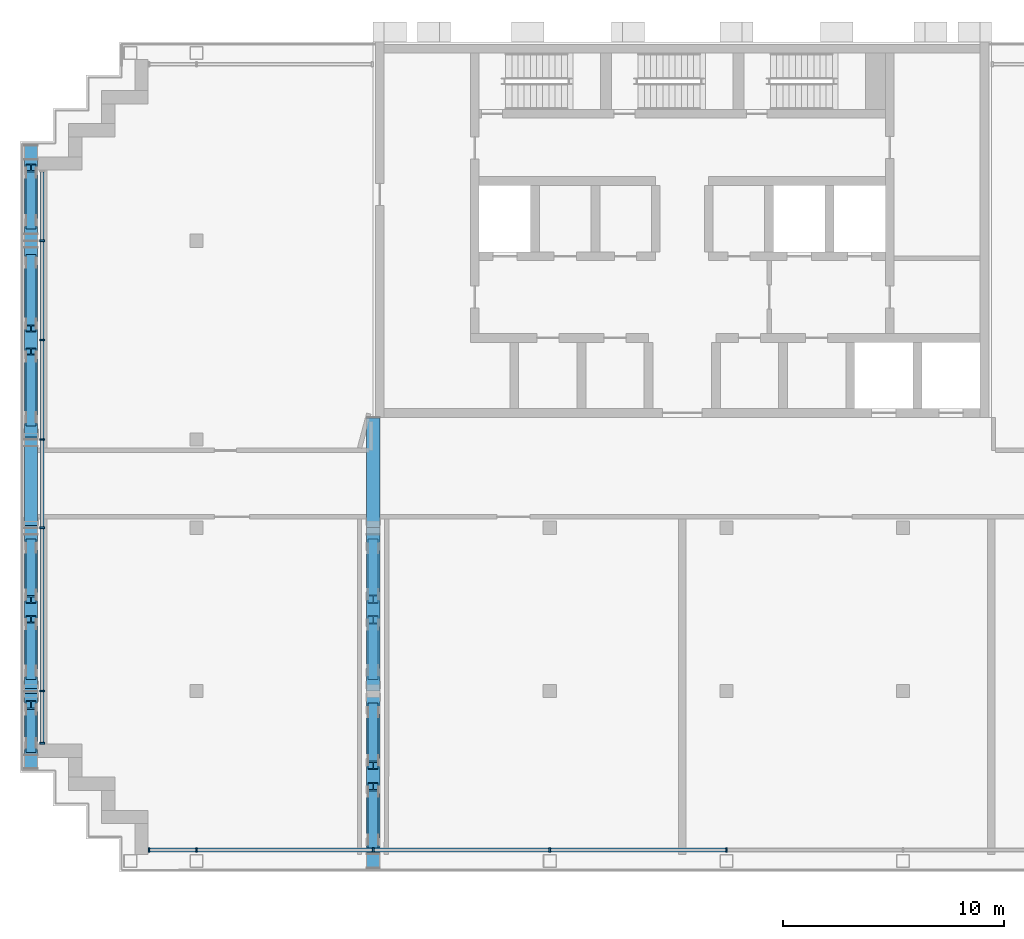
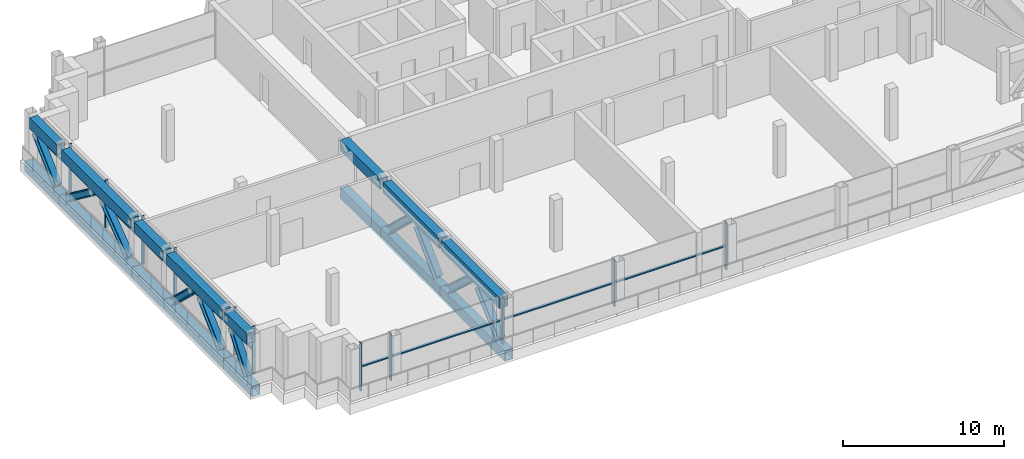
# One storey, part 2 of 21: 47 members, 2 elements without a shape of their own.
"""IFC4 building model written with IfcOpenShell, lengths in metres."""

from ifc_helpers import new_model, si_unit, direction, frame, origin, origin_2d, place, context, subcontext, project, spatial, rectangle, hollow_rectangle, i_section, extrude, material, material_profile, profile_set, type_object, element, aggregate, save


model = new_model("IFC4")

# Units and contexts
model_context = context("Model", 3, precision=1e-05, world=origin(), true_north=direction((0.0, 1.0)))
body_context = subcontext(model_context, "Body", "Model", "MODEL_VIEW")
ifc_project = project(units=[si_unit("LENGTHUNIT", "METRE"), si_unit("AREAUNIT", "SQUARE_METRE"), si_unit("VOLUMEUNIT", "CUBIC_METRE"), si_unit("PLANEANGLEUNIT", "RADIAN"), si_unit("MASSUNIT", "GRAM", prefix="KILO")], contexts=[model_context])

# Site, building, storey
site_placement = place(None, origin())
site = spatial("IfcSite", under=ifc_project, at=site_placement, CompositionType="ELEMENT")
building_placement = place(site_placement, origin())
building = spatial("IfcBuilding", under=site, at=building_placement, Name="Vidyagriha Tower", CompositionType="ELEMENT")
storey_placement = place(building_placement, frame((0.0, 0.0, 203.699951171875)))
storey = spatial("IfcBuildingStorey", under=building, at=storey_placement, Name="L52", CompositionType="ELEMENT", Elevation=203.699951171875)

# Members
ifc_material_1 = material(Name="Steel ASTM A572 Grade 50", Category="steel")
ifc_material_profile_1 = material_profile(ifc_material_1, hollow_rectangle(XDim=0.60009765625, YDim=0.800048828125, WallThickness=0.034912109375, at=origin_2d()), Name="BOX 800x600x35")
ifc_profile_set_1 = profile_set([ifc_material_profile_1], Name="Steel ASTM A572 Grade 50")
member_type_1 = type_object("IfcMemberType", Name="Belt truss chord BOX 800x600x35", PredefinedType="CHORD", material=ifc_profile_set_1)
member_1_placement = place(storey_placement, frame((-29.5, -12.89990234375, -0.39990234375), z_axis=(0.0, 1.0, 0.0), x_axis=(-1.0, 0.0, 0.0)))
element("IfcMember", 1, at=member_1_placement, inside=storey, type_object=member_type_1, Name="st-truss-L52-B06-B00", PredefinedType="CHORD", context=body_context, shape_type="SweptSolid", body=[
    extrude(hollow_rectangle(XDim=0.60009765625, YDim=0.800048828125, WallThickness=0.034912109375, at=origin_2d()), origin(), (0.0, 0.0, 1.0), 3.48046875),
])
member_2_placement = place(storey_placement, frame((-29.5, -12.280517578125, 3.219970703125), z_axis=(0.0, 1.0, 0.0), x_axis=(-1.0, 0.0, 0.0)))
element("IfcMember", 2, at=member_2_placement, inside=storey, type_object=member_type_1, Name="st-truss-L52-B06-T00", PredefinedType="CHORD", context=body_context, shape_type="SweptSolid", body=[
    extrude(hollow_rectangle(XDim=0.60009765625, YDim=0.800048828125, WallThickness=0.034912109375, at=origin_2d()), origin(), (0.0, 0.0, 1.0), 2.775634765625),
])
member_3_placement = place(storey_placement, frame((-29.5, -9.39990234375, -0.39990234375), z_axis=(0.0, 1.0, 0.0), x_axis=(-1.0, 0.0, 0.0)))
element("IfcMember", 3, at=member_3_placement, inside=storey, type_object=member_type_1, Name="st-truss-L52-B06-B01", PredefinedType="CHORD", context=body_context, shape_type="SweptSolid", body=[
    extrude(hollow_rectangle(XDim=0.60009765625, YDim=0.800048828125, WallThickness=0.034912109375, at=origin_2d()), origin(), (0.0, 0.0, 1.0), 7.38037109375),
])
member_4_placement = place(storey_placement, frame((-29.5, -9.294921875, 3.219970703125), z_axis=(0.0, 1.0, 0.0), x_axis=(-1.0, 0.0, 0.0)))
element("IfcMember", 4, at=member_4_placement, inside=storey, type_object=member_type_1, Name="st-truss-L52-B06-T01", PredefinedType="CHORD", context=body_context, shape_type="SweptSolid", body=[
    extrude(hollow_rectangle(XDim=0.60009765625, YDim=0.800048828125, WallThickness=0.034912109375, at=origin_2d()), origin(), (0.0, 0.0, 1.0), 6.975830078125),
])
member_5_placement = place(storey_placement, frame((-29.5, -2.0, -0.39990234375), z_axis=(0.0, 1.0, 0.0), x_axis=(-1.0, 0.0, 0.0)))
element("IfcMember", 5, at=member_5_placement, inside=storey, type_object=member_type_1, Name="st-truss-L52-B06-B02", PredefinedType="CHORD", context=body_context, shape_type="SweptSolid", body=[
    extrude(hollow_rectangle(XDim=0.60009765625, YDim=0.800048828125, WallThickness=0.034912109375, at=origin_2d()), origin(), (0.0, 0.0, 1.0), 3.98046875),
])
member_6_placement = place(storey_placement, frame((-29.5, -1.89501953125, 3.219970703125), z_axis=(0.0, 1.0, 0.0), x_axis=(-1.0, 0.0, 0.0)))
element("IfcMember", 6, at=member_6_placement, inside=storey, type_object=member_type_1, Name="st-truss-L52-B06-T02", PredefinedType="CHORD", context=body_context, shape_type="SweptSolid", body=[
    extrude(hollow_rectangle(XDim=0.60009765625, YDim=0.800048828125, WallThickness=0.034912109375, at=origin_2d()), origin(), (0.0, 0.0, 1.0), 3.57666015625),
])
member_7_placement = place(storey_placement, frame((-29.5, 2.0, -0.39990234375), z_axis=(0.0, 1.0, 0.0), x_axis=(-1.0, 0.0, 0.0)))
element("IfcMember", 7, at=member_7_placement, inside=storey, type_object=member_type_1, Name="st-truss-L52-B06-B03", PredefinedType="CHORD", context=body_context, shape_type="SweptSolid", body=[
    extrude(hollow_rectangle(XDim=0.60009765625, YDim=0.800048828125, WallThickness=0.034912109375, at=origin_2d()), origin(), (0.0, 0.0, 1.0), 8.98046875),
])
member_8_placement = place(storey_placement, frame((-29.5, 2.10498046875, 3.219970703125), z_axis=(0.0, 1.0, 0.0), x_axis=(-1.0, 0.0, 0.0)))
element("IfcMember", 8, at=member_8_placement, inside=storey, type_object=member_type_1, Name="st-truss-L52-B06-T03", PredefinedType="CHORD", context=body_context, shape_type="SweptSolid", body=[
    extrude(hollow_rectangle(XDim=0.60009765625, YDim=0.800048828125, WallThickness=0.034912109375, at=origin_2d()), origin(), (0.0, 0.0, 1.0), 8.575927734375),
])
member_9_placement = place(storey_placement, frame((-29.5, 11.0, -0.39990234375), z_axis=(0.0, 1.0, 0.0), x_axis=(-1.0, 0.0, 0.0)))
element("IfcMember", 9, at=member_9_placement, inside=storey, type_object=member_type_1, Name="st-truss-L52-B06-B04", PredefinedType="CHORD", context=body_context, shape_type="SweptSolid", body=[
    extrude(hollow_rectangle(XDim=0.60009765625, YDim=0.800048828125, WallThickness=0.034912109375, at=origin_2d()), origin(), (0.0, 0.0, 1.0), 4.300048828125),
])
member_10_placement = place(storey_placement, frame((-29.5, 11.319580078125, 3.219970703125), z_axis=(0.0, 1.0, 0.0), x_axis=(-1.0, 0.0, 0.0)))
element("IfcMember", 10, at=member_10_placement, inside=storey, type_object=member_type_1, Name="st-truss-L52-B06-T04", PredefinedType="CHORD", context=body_context, shape_type="SweptSolid", body=[
    extrude(hollow_rectangle(XDim=0.60009765625, YDim=0.800048828125, WallThickness=0.034912109375, at=origin_2d()), origin(), (0.0, 0.0, 1.0), 3.36083984375),
])
ifc_material_2 = material(Name="Steel ASTM A913 Grade 65", Category="steel")
ifc_material_profile_2 = material_profile(ifc_material_2, i_section(OverallWidth=0.43701171875, OverallDepth=0.51318359375, WebThickness=0.046142578125, FlangeThickness=0.071533203125, at=origin_2d()), Name="W14X550")
ifc_profile_set_2 = profile_set([ifc_material_profile_2], Name="Steel ASTM A913 Grade 65")
member_type_2 = type_object("IfcMemberType", Name="Belt truss diagonal W14X550", PredefinedType="BRACE", material=ifc_profile_set_2)
member_11_placement = place(storey_placement, frame((-29.5, -11.976806640625, 0.157958984375), z_axis=(0.0, 0.615068117904, 0.788473975688), x_axis=(-1.0, 0.0, 0.0)))
element("IfcMember", 11, at=member_11_placement, inside=storey, type_object=member_type_2, Name="st-truss-L52-B06-D000", PredefinedType="BRACE", context=body_context, shape_type="SweptSolid", body=[
    extrude(i_section(OverallWidth=0.43701171875, OverallDepth=0.51318359375, WebThickness=0.046142578125, FlangeThickness=0.071533203125, at=origin_2d()), origin(), (0.0, 0.0, 1.0), 3.17626953125),
])
for number, where, z_axis, x_axis, name in (
    (12, (-29.5, -8.7060546875, 0.185546875), (0.0, 0.72287369809, 0.690980185396), (-1.0, 0.0, 0.0), "st-truss-L52-B06-D010"),
    (13, (-29.5, -5.256103515625, 2.634521484375), (0.0, 0.72287369809, -0.690980185396), (-1.0, 0.0, 0.0), "st-truss-L52-B06-D011"),
):
    element("IfcMember", number, at=place(storey_placement, frame(where, z_axis=z_axis, x_axis=x_axis)), inside=storey, type_object=member_type_2, Name=name, PredefinedType="BRACE", context=body_context, shape_type="SweptSolid", body=[
        extrude(i_section(OverallWidth=0.43701171875, OverallDepth=0.51318359375, WebThickness=0.046142578125, FlangeThickness=0.071533203125, at=origin_2d()), origin(), (0.0, 0.0, 1.0), 3.544189453125),
    ])
for number, where, z_axis, x_axis, name in (
    (14, (-29.5, 2.772705078125, 0.205078125), (0.0, 0.799224829468, 0.601032172153), (-1.0, 0.0, 0.0), "st-truss-L52-B06-D030"),
    (15, (-29.5, 7.022705078125, 2.614990234375), (0.0, 0.799224829468, -0.601032172153), (-1.0, 0.0, 0.0), "st-truss-L52-B06-D031"),
):
    element("IfcMember", number, at=place(storey_placement, frame(where, z_axis=z_axis, x_axis=x_axis)), inside=storey, type_object=member_type_2, Name=name, PredefinedType="BRACE", context=body_context, shape_type="SweptSolid", body=[
        extrude(i_section(OverallWidth=0.43701171875, OverallDepth=0.51318359375, WebThickness=0.046142578125, FlangeThickness=0.071533203125, at=origin_2d()), origin(), (0.0, 0.0, 1.0), 4.009521484375),
    ])
member_12_placement = place(storey_placement, frame((-29.5, 11.698974609375, 0.18701171875), z_axis=(0.0, 0.728611292967, 0.684927429558), x_axis=(-1.0, 0.0, 0.0)))
element("IfcMember", 16, at=member_12_placement, inside=storey, type_object=member_type_2, Name="st-truss-L52-B06-D040", PredefinedType="BRACE", context=body_context, shape_type="SweptSolid", body=[
    extrude(i_section(OverallWidth=0.43701171875, OverallDepth=0.51318359375, WebThickness=0.046142578125, FlangeThickness=0.071533203125, at=origin_2d()), origin(), (0.0, 0.0, 1.0), 3.5712890625),
])

# Curtain wall, members
ifc_material_3 = material(Name="Aluminium and glass curtain wall", Category="aluminium")
curtain_wall_type = type_object("IfcCurtainWallType", Name="Plant louvre wall", PredefinedType="USERDEFINED", material=ifc_material_3)
curtain_wall_1_placement = place(storey_placement, origin())
curtain_wall_1 = element("IfcCurtainWall", 17, at=curtain_wall_1_placement, inside=storey, type_object=curtain_wall_type, Name="CW7 plant louvre wall", ObjectType="STICK GLAZING", PredefinedType="USERDEFINED")
ifc_material_4 = material(Name="Aluminium black anodised", Category="aluminium")
ifc_material_profile_3 = material_profile(ifc_material_4, rectangle(XDim=0.219970703125, YDim=0.080078125, at=origin_2d()), Name="Mullion 80x220 black aluminium")
ifc_profile_set_3 = profile_set([ifc_material_profile_3], Name="Aluminium black anodised")
member_type_3 = type_object("IfcMemberType", Name="Mullion 80x220 black aluminium", PredefinedType="MULLION", material=ifc_profile_set_3)
member_13_placement = place(storey_placement, frame((-29.0, 11.0, 0.0)))
member_13 = element("IfcMember", 18, at=member_13_placement, type_object=member_type_3, Name="CW7 mullion 2", PredefinedType="MULLION", context=body_context, shape_type="SweptSolid", body=[
    extrude(rectangle(XDim=0.219970703125, YDim=0.080078125, at=origin_2d()), origin(), (0.0, 0.0, 1.0), 3.6201171875),
])
member_14_placement = place(storey_placement, frame((-29.0, 6.5, 0.0)))
member_14 = element("IfcMember", 19, at=member_14_placement, type_object=member_type_3, Name="CW7 mullion 3", PredefinedType="MULLION", context=body_context, shape_type="SweptSolid", body=[
    extrude(rectangle(XDim=0.219970703125, YDim=0.080078125, at=origin_2d()), origin(), (0.0, 0.0, 1.0), 3.6201171875),
])
member_15_placement = place(storey_placement, frame((-29.0, 2.0, 0.0)))
member_15 = element("IfcMember", 20, at=member_15_placement, type_object=member_type_3, Name="CW7 mullion 4", PredefinedType="MULLION", context=body_context, shape_type="SweptSolid", body=[
    extrude(rectangle(XDim=0.219970703125, YDim=0.080078125, at=origin_2d()), origin(), (0.0, 0.0, 1.0), 3.6201171875),
])
member_16_placement = place(storey_placement, frame((-29.0, -2.0, 0.0)))
member_16 = element("IfcMember", 21, at=member_16_placement, type_object=member_type_3, Name="CW7 mullion 5", PredefinedType="MULLION", context=body_context, shape_type="SweptSolid", body=[
    extrude(rectangle(XDim=0.219970703125, YDim=0.080078125, at=origin_2d()), origin(), (0.0, 0.0, 1.0), 3.6201171875),
])
member_17_placement = place(storey_placement, frame((-29.0, -9.39990234375, 0.0)))
member_17 = element("IfcMember", 22, at=member_17_placement, type_object=member_type_3, Name="CW7 mullion 6", PredefinedType="MULLION", context=body_context, shape_type="SweptSolid", body=[
    extrude(rectangle(XDim=0.219970703125, YDim=0.080078125, at=origin_2d()), origin(), (0.0, 0.0, 1.0), 3.6201171875),
])
member_18_placement = place(storey_placement, frame((-29.0, -11.760009765625, 0.0)))
member_18 = element("IfcMember", 23, at=member_18_placement, type_object=member_type_3, Name="CW7 mullion 7", PredefinedType="MULLION", context=body_context, shape_type="SweptSolid", body=[
    extrude(rectangle(XDim=0.219970703125, YDim=0.080078125, at=origin_2d()), origin(), (0.0, 0.0, 1.0), 3.6201171875),
])

curtain_wall_2_placement = place(storey_placement, origin())
curtain_wall_2 = element("IfcCurtainWall", 24, at=curtain_wall_2_placement, inside=storey, type_object=curtain_wall_type, Name="CW7 plant louvre wall", ObjectType="STICK GLAZING", PredefinedType="USERDEFINED")
member_19_placement = place(storey_placement, frame((-24.159912109375, -16.60009765625, 0.0), z_axis=(0.0, 0.0, 1.0), x_axis=(0.0, 1.0, 0.0)))
member_19 = element("IfcMember", 25, at=member_19_placement, type_object=member_type_3, Name="CW7 mullion 1", PredefinedType="MULLION", context=body_context, shape_type="SweptSolid", body=[
    extrude(rectangle(XDim=0.219970703125, YDim=0.080078125, at=origin_2d()), origin(), (0.0, 0.0, 1.0), 3.6201171875),
])
member_20_placement = place(storey_placement, frame((-22.0, -16.60009765625, 0.0), z_axis=(0.0, 0.0, 1.0), x_axis=(0.0, 1.0, 0.0)))
member_20 = element("IfcMember", 26, at=member_20_placement, type_object=member_type_3, Name="CW7 mullion 2", PredefinedType="MULLION", context=body_context, shape_type="SweptSolid", body=[
    extrude(rectangle(XDim=0.219970703125, YDim=0.080078125, at=origin_2d()), origin(), (0.0, 0.0, 1.0), 3.6201171875),
])
member_21_placement = place(storey_placement, frame((-14.0, -16.60009765625, 0.0), z_axis=(0.0, 0.0, 1.0), x_axis=(0.0, 1.0, 0.0)))
member_21 = element("IfcMember", 27, at=member_21_placement, type_object=member_type_3, Name="CW7 mullion 3", PredefinedType="MULLION", context=body_context, shape_type="SweptSolid", body=[
    extrude(rectangle(XDim=0.219970703125, YDim=0.080078125, at=origin_2d()), origin(), (0.0, 0.0, 1.0), 3.6201171875),
])
member_22_placement = place(storey_placement, frame((-6.0, -16.60009765625, 0.0), z_axis=(0.0, 0.0, 1.0), x_axis=(0.0, 1.0, 0.0)))
member_22 = element("IfcMember", 28, at=member_22_placement, type_object=member_type_3, Name="CW7 mullion 4", PredefinedType="MULLION", context=body_context, shape_type="SweptSolid", body=[
    extrude(rectangle(XDim=0.219970703125, YDim=0.080078125, at=origin_2d()), origin(), (0.0, 0.0, 1.0), 3.6201171875),
])
member_23_placement = place(storey_placement, frame((2.0, -16.60009765625, 0.0), z_axis=(0.0, 0.0, 1.0), x_axis=(0.0, 1.0, 0.0)))
member_23 = element("IfcMember", 29, at=member_23_placement, type_object=member_type_3, Name="CW7 mullion 5", PredefinedType="MULLION", context=body_context, shape_type="SweptSolid", body=[
    extrude(rectangle(XDim=0.219970703125, YDim=0.080078125, at=origin_2d()), origin(), (0.0, 0.0, 1.0), 3.6201171875),
])

# Members
ifc_material_5 = material(Name="Steel ASTM A572 Grade 50", Category="steel")
ifc_material_profile_4 = material_profile(ifc_material_5, hollow_rectangle(XDim=0.60009765625, YDim=0.800048828125, WallThickness=0.06005859375, at=origin_2d()), Name="BOX 800x600x60")
ifc_profile_set_4 = profile_set([ifc_material_profile_4], Name="Steel ASTM A572 Grade 50")
member_type_4 = type_object("IfcMemberType", Name="Outrigger truss chord BOX 800x600x60", PredefinedType="CHORD", material=ifc_profile_set_4)
member_24_placement = place(storey_placement, frame((-14.0, -17.39990234375, -0.39990234375), z_axis=(0.0, 1.0, 0.0), x_axis=(-1.0, 0.0, 0.0)))
element("IfcMember", 30, at=member_24_placement, inside=storey, type_object=member_type_4, Name="st-truss-L52-O07-B00", PredefinedType="CHORD", context=body_context, shape_type="SweptSolid", body=[
    extrude(hollow_rectangle(XDim=0.60009765625, YDim=0.800048828125, WallThickness=0.06005859375, at=origin_2d()), origin(), (0.0, 0.0, 1.0), 8.0),
])
member_25_placement = place(storey_placement, frame((-14.0, -16.780517578125, 3.219970703125), z_axis=(0.0, 1.0, 0.0), x_axis=(-1.0, 0.0, 0.0)))
element("IfcMember", 31, at=member_25_placement, inside=storey, type_object=member_type_4, Name="st-truss-L52-O07-T00", PredefinedType="CHORD", context=body_context, shape_type="SweptSolid", body=[
    extrude(hollow_rectangle(XDim=0.60009765625, YDim=0.800048828125, WallThickness=0.06005859375, at=origin_2d()), origin(), (0.0, 0.0, 1.0), 7.275634765625),
])
member_26_placement = place(storey_placement, frame((-14.0, -9.39990234375, -0.39990234375), z_axis=(0.0, 1.0, 0.0), x_axis=(-1.0, 0.0, 0.0)))
element("IfcMember", 32, at=member_26_placement, inside=storey, type_object=member_type_4, Name="st-truss-L52-O07-B01", PredefinedType="CHORD", context=body_context, shape_type="SweptSolid", body=[
    extrude(hollow_rectangle(XDim=0.60009765625, YDim=0.800048828125, WallThickness=0.06005859375, at=origin_2d()), origin(), (0.0, 0.0, 1.0), 7.39990234375),
])
member_27_placement = place(storey_placement, frame((-14.0, -9.294921875, 3.219970703125), z_axis=(0.0, 1.0, 0.0), x_axis=(-1.0, 0.0, 0.0)))
element("IfcMember", 33, at=member_27_placement, inside=storey, type_object=member_type_4, Name="st-truss-L52-O07-T01", PredefinedType="CHORD", context=body_context, shape_type="SweptSolid", body=[
    extrude(hollow_rectangle(XDim=0.60009765625, YDim=0.800048828125, WallThickness=0.06005859375, at=origin_2d()), origin(), (0.0, 0.0, 1.0), 6.975830078125),
])
member_28_placement = place(storey_placement, frame((-14.0, -2.0, -0.39990234375), z_axis=(0.0, 1.0, 0.0), x_axis=(-1.0, 0.0, 0.0)))
element("IfcMember", 34, at=member_28_placement, inside=storey, type_object=member_type_4, Name="st-truss-L52-O07-B02", PredefinedType="CHORD", context=body_context, shape_type="SweptSolid", body=[
    extrude(hollow_rectangle(XDim=0.60009765625, YDim=0.800048828125, WallThickness=0.06005859375, at=origin_2d()), origin(), (0.0, 0.0, 1.0), 4.98046875),
])
member_29_placement = place(storey_placement, frame((-14.0, -1.89501953125, 3.219970703125), z_axis=(0.0, 1.0, 0.0), x_axis=(-1.0, 0.0, 0.0)))
element("IfcMember", 35, at=member_29_placement, inside=storey, type_object=member_type_4, Name="st-truss-L52-O07-T02", PredefinedType="CHORD", context=body_context, shape_type="SweptSolid", body=[
    extrude(hollow_rectangle(XDim=0.60009765625, YDim=0.800048828125, WallThickness=0.06005859375, at=origin_2d()), origin(), (0.0, 0.0, 1.0), 4.876220703125),
])
ifc_material_6 = material(Name="Steel ASTM A913 Grade 65", Category="steel")
ifc_material_profile_5 = material_profile(ifc_material_6, i_section(OverallWidth=0.45458984375, OverallDepth=0.569091796875, WebThickness=0.0390625, FlangeThickness=0.077880859375, at=origin_2d()), Name="W14X730")
ifc_profile_set_5 = profile_set([ifc_material_profile_5], Name="Steel ASTM A913 Grade 65")
member_type_5 = type_object("IfcMemberType", Name="Outrigger truss diagonal W14X730", PredefinedType="BRACE", material=ifc_profile_set_5)
for number, where, z_axis, x_axis, name in (
    (36, (-14.0, -16.36865234375, 0.21044921875), (0.0, 0.739732445105, 0.672901114324), (-1.0, 0.0, 0.0), "st-truss-L52-O07-D000"),
    (37, (-14.0, -12.768798828125, 2.609619140625), (0.0, 0.739732445105, -0.672901114324), (-1.0, 0.0, 0.0), "st-truss-L52-O07-D001"),
):
    element("IfcMember", number, at=place(storey_placement, frame(where, z_axis=z_axis, x_axis=x_axis)), inside=storey, type_object=member_type_5, Name=name, PredefinedType="BRACE", context=body_context, shape_type="SweptSolid", body=[
        extrude(i_section(OverallWidth=0.45458984375, OverallDepth=0.569091796875, WebThickness=0.0390625, FlangeThickness=0.077880859375, at=origin_2d()), origin(), (0.0, 0.0, 1.0), 3.5654296875),
    ])
for number, where, z_axis, x_axis, name in (
    (38, (-14.0, -8.684814453125, 0.20556640625), (0.0, 0.72282587081, 0.691030216769), (-1.0, 0.0, 0.0), "st-truss-L52-O07-D010"),
    (39, (-14.0, -5.23486328125, 2.614501953125), (0.0, 0.72282587081, -0.691030216769), (-1.0, 0.0, 0.0), "st-truss-L52-O07-D011"),
):
    element("IfcMember", number, at=place(storey_placement, frame(where, z_axis=z_axis, x_axis=x_axis)), inside=storey, type_object=member_type_5, Name=name, PredefinedType="BRACE", context=body_context, shape_type="SweptSolid", body=[
        extrude(i_section(OverallWidth=0.45458984375, OverallDepth=0.569091796875, WebThickness=0.0390625, FlangeThickness=0.077880859375, at=origin_2d()), origin(), (0.0, 0.0, 1.0), 3.486083984375),
    ])

# Member
ifc_material_7 = material(Name="Aluminium black anodised", Category="aluminium")
ifc_material_profile_6 = material_profile(ifc_material_7, rectangle(XDim=0.159912109375, YDim=0.10009765625, at=origin_2d()), Name="Transom 100x160 black aluminium")
ifc_profile_set_6 = profile_set([ifc_material_profile_6], Name="Aluminium black anodised")
member_type_6 = type_object("IfcMemberType", Name="Transom 100x160 black aluminium", PredefinedType="USERDEFINED", material=ifc_profile_set_6)
member_30_placement = place(storey_placement, frame((-29.0, 14.1201171875, 1.81005859375), z_axis=(0.0, -1.0, 0.0), x_axis=(1.0, 0.0, 0.0)))
member_30 = element("IfcMember", 40, at=member_30_placement, type_object=member_type_6, Name="CW7 transom 1.1", ObjectType="TRANSOM", PredefinedType="USERDEFINED", context=body_context, shape_type="SweptSolid", body=[
    extrude(rectangle(XDim=0.159912109375, YDim=0.10009765625, at=origin_2d()), origin(), (0.0, 0.0, 1.0), 3.080078125),
])

member_31_placement = place(storey_placement, frame((-29.0, 10.9599609375, 1.81005859375), z_axis=(0.0, -1.0, 0.0), x_axis=(1.0, 0.0, 0.0)))
member_31 = element("IfcMember", 41, at=member_31_placement, type_object=member_type_6, Name="CW7 transom 2.1", ObjectType="TRANSOM", PredefinedType="USERDEFINED", context=body_context, shape_type="SweptSolid", body=[
    extrude(rectangle(XDim=0.159912109375, YDim=0.10009765625, at=origin_2d()), origin(), (0.0, 0.0, 1.0), 4.419921875),
])

member_32_placement = place(storey_placement, frame((-29.0, 6.4599609375, 1.81005859375), z_axis=(0.0, -1.0, 0.0), x_axis=(1.0, 0.0, 0.0)))
member_32 = element("IfcMember", 42, at=member_32_placement, type_object=member_type_6, Name="CW7 transom 3.1", ObjectType="TRANSOM", PredefinedType="USERDEFINED", context=body_context, shape_type="SweptSolid", body=[
    extrude(rectangle(XDim=0.159912109375, YDim=0.10009765625, at=origin_2d()), origin(), (0.0, 0.0, 1.0), 4.419921875),
])

member_33_placement = place(storey_placement, frame((-29.0, 1.9599609375, 1.81005859375), z_axis=(0.0, -1.0, 0.0), x_axis=(1.0, 0.0, 0.0)))
member_33 = element("IfcMember", 43, at=member_33_placement, type_object=member_type_6, Name="CW7 transom 4.1", ObjectType="TRANSOM", PredefinedType="USERDEFINED", context=body_context, shape_type="SweptSolid", body=[
    extrude(rectangle(XDim=0.159912109375, YDim=0.10009765625, at=origin_2d()), origin(), (0.0, 0.0, 1.0), 3.919921875),
])

member_34_placement = place(storey_placement, frame((-29.0, -2.0400390625, 1.81005859375), z_axis=(0.0, -1.0, 0.0), x_axis=(1.0, 0.0, 0.0)))
member_34 = element("IfcMember", 44, at=member_34_placement, type_object=member_type_6, Name="CW7 transom 5.1", ObjectType="TRANSOM", PredefinedType="USERDEFINED", context=body_context, shape_type="SweptSolid", body=[
    extrude(rectangle(XDim=0.159912109375, YDim=0.10009765625, at=origin_2d()), origin(), (0.0, 0.0, 1.0), 7.320068359375),
])

member_35_placement = place(storey_placement, frame((-29.0, -9.43994140625, 1.81005859375), z_axis=(0.0, -1.0, 0.0), x_axis=(1.0, 0.0, 0.0)))
member_35 = element("IfcMember", 45, at=member_35_placement, type_object=member_type_6, Name="CW7 transom 6.1", ObjectType="TRANSOM", PredefinedType="USERDEFINED", context=body_context, shape_type="SweptSolid", body=[
    extrude(rectangle(XDim=0.159912109375, YDim=0.10009765625, at=origin_2d()), origin(), (0.0, 0.0, 1.0), 2.280029296875),
])

aggregate(curtain_wall_1, [member_13, member_14, member_15, member_16, member_17, member_18, member_30, member_31, member_32, member_33, member_34, member_35])

member_36_placement = place(storey_placement, frame((-24.1201171875, -16.60009765625, 1.81005859375), z_axis=(1.0, 0.0, 0.0), x_axis=(0.0, 1.0, 0.0)))
member_36 = element("IfcMember", 46, at=member_36_placement, type_object=member_type_6, Name="CW7 transom 1.1", ObjectType="TRANSOM", PredefinedType="USERDEFINED", context=body_context, shape_type="SweptSolid", body=[
    extrude(rectangle(XDim=0.159912109375, YDim=0.10009765625, at=origin_2d()), origin(), (0.0, 0.0, 1.0), 2.080078125),
])

member_37_placement = place(storey_placement, frame((-21.9599609375, -16.60009765625, 1.81005859375), z_axis=(1.0, 0.0, 0.0), x_axis=(0.0, 1.0, 0.0)))
member_37 = element("IfcMember", 47, at=member_37_placement, type_object=member_type_6, Name="CW7 transom 2.1", ObjectType="TRANSOM", PredefinedType="USERDEFINED", context=body_context, shape_type="SweptSolid", body=[
    extrude(rectangle(XDim=0.159912109375, YDim=0.10009765625, at=origin_2d()), origin(), (0.0, 0.0, 1.0), 7.919921875),
])

member_38_placement = place(storey_placement, frame((-13.9599609375, -16.60009765625, 1.81005859375), z_axis=(1.0, 0.0, 0.0), x_axis=(0.0, 1.0, 0.0)))
member_38 = element("IfcMember", 48, at=member_38_placement, type_object=member_type_6, Name="CW7 transom 3.1", ObjectType="TRANSOM", PredefinedType="USERDEFINED", context=body_context, shape_type="SweptSolid", body=[
    extrude(rectangle(XDim=0.159912109375, YDim=0.10009765625, at=origin_2d()), origin(), (0.0, 0.0, 1.0), 7.919921875),
])

member_39_placement = place(storey_placement, frame((-5.9599609375, -16.60009765625, 1.81005859375), z_axis=(1.0, 0.0, 0.0), x_axis=(0.0, 1.0, 0.0)))
member_39 = element("IfcMember", 49, at=member_39_placement, type_object=member_type_6, Name="CW7 transom 4.1", ObjectType="TRANSOM", PredefinedType="USERDEFINED", context=body_context, shape_type="SweptSolid", body=[
    extrude(rectangle(XDim=0.159912109375, YDim=0.10009765625, at=origin_2d()), origin(), (0.0, 0.0, 1.0), 7.919921875),
])

aggregate(curtain_wall_2, [member_19, member_20, member_21, member_22, member_23, member_36, member_37, member_38, member_39])

save(model, "model.ifc")
